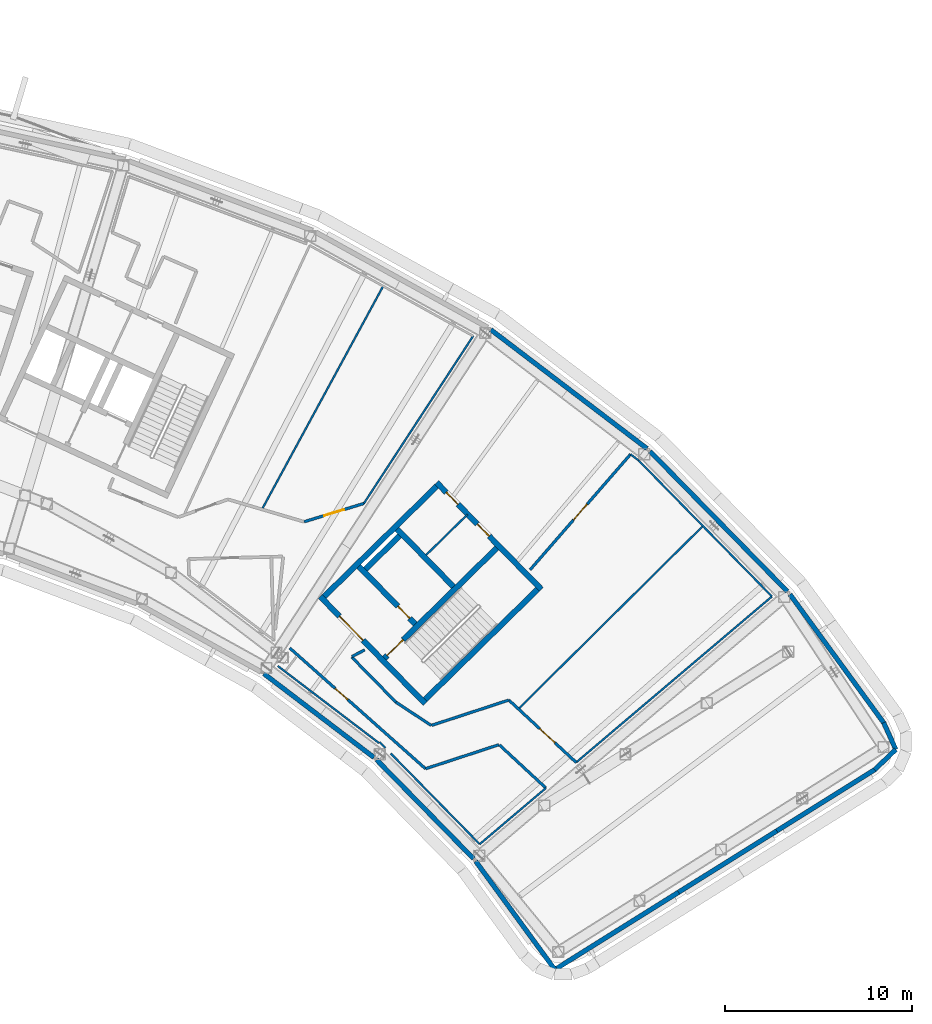
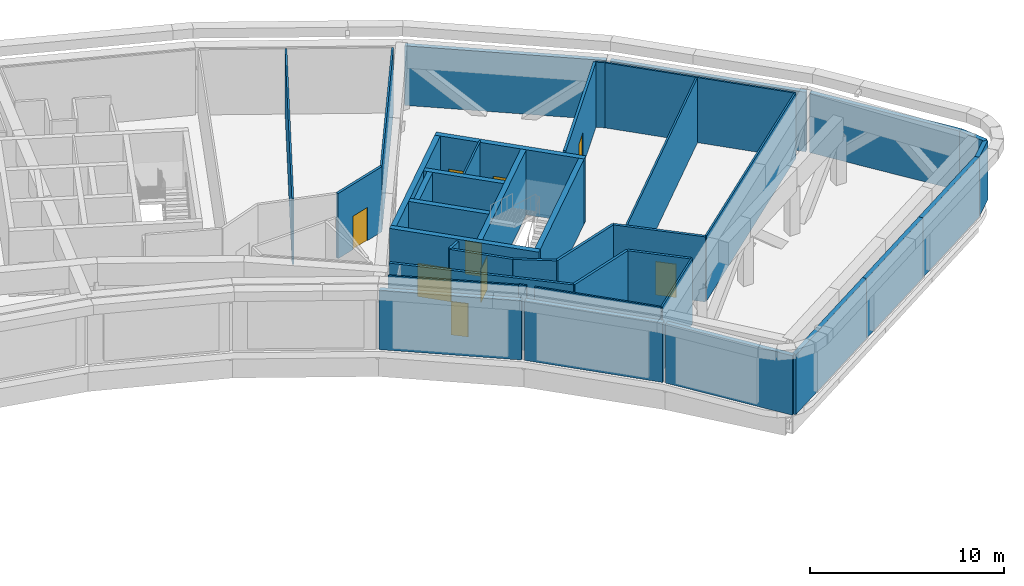
# One storey, part 10 of 24: 40 walls, 9 doors, 9 openings.
"""IFC4 building model written with IfcOpenShell, lengths in metres."""

from ifc_helpers import new_model, si_unit, direction, frame, frame_2d, origin, place, context, subcontext, project, spatial, rectangle, extrude, material, layer, layer_set, type_object, element, fill, save


model = new_model("IFC4")

# Units and contexts
model_context = context("Model", 3, precision=1e-05, world=origin(), true_north=direction((0.0, 1.0)))
body_context = subcontext(model_context, "Body", "Model", "MODEL_VIEW")
ifc_project = project(units=[si_unit("LENGTHUNIT", "METRE"), si_unit("AREAUNIT", "SQUARE_METRE"), si_unit("VOLUMEUNIT", "CUBIC_METRE"), si_unit("PLANEANGLEUNIT", "RADIAN"), si_unit("MASSUNIT", "GRAM", prefix="KILO")], contexts=[model_context])

# Site, building, storey
site_placement = place(None, origin())
site = spatial("IfcSite", under=ifc_project, at=site_placement, CompositionType="ELEMENT")
building_placement = place(site_placement, origin())
building = spatial("IfcBuilding", under=site, at=building_placement, Name="Tuul Gate Civic Tower", CompositionType="ELEMENT")
storey_placement = place(building_placement, frame((0.0, 0.0, 243.89990234375)))
storey = spatial("IfcBuildingStorey", under=building, at=storey_placement, Name="Plant and refuge floor 6", CompositionType="ELEMENT", Elevation=243.89990234375)

# Wall, opening, door
ifc_material_1 = material(Name="Concrete C50/60", Category="concrete")
ifc_layer_1 = layer(ifc_material_1, 0.300048828125)
ifc_layer_set_1 = layer_set([ifc_layer_1], Name="Concrete C50/60")
wall_type_1 = type_object("IfcWallType", Name="Core wall C50/60", PredefinedType="SHEAR", material=ifc_layer_set_1)
wall_1_placement = place(storey_placement, frame((48.22509765625, -18.327880859375, 0.0), z_axis=(0.0, 0.0, 1.0), x_axis=(-0.700021979774, 0.714121297703, 0.0)))
wall_1 = element("IfcWall", 1, at=wall_1_placement, inside=storey, type_object=wall_type_1, Name="Core wall", PredefinedType="SHEAR", context=body_context, shape_type="SweptSolid", body=[
    extrude(rectangle(XDim=8.0, YDim=0.300048828125, at=frame_2d((4.0, 0.0))), origin(), (0.0, 0.0, 1.0), 4.10009765625),
])
opening_1_placement = place(wall_1_placement, frame((4.72509765625, 0.0, 0.0)))
opening_1 = element("IfcOpeningElement", 2, at=opening_1_placement, cuts=wall_1, Name="Opening LB-E1-LOBBY-1", PredefinedType="OPENING", context=body_context, shape_type="SweptSolid", body=[
    extrude(rectangle(XDim=1.800048828125, YDim=2.10009765625, at=frame_2d((0.89990234375, 1.050048828125))), frame((0.0, 0.16015625, 0.0), z_axis=(0.0, -1.0, 0.0), x_axis=(1.0, 0.0, 0.0)), (0.0, 0.0, 1.0), 0.320068359375),
])
ifc_material_2 = material(Name="Steel", Category="steel")
door_type_1 = type_object("IfcDoorType", Name="Lobby door", OperationType="DOUBLE_DOOR_SINGLE_SWING", PredefinedType="DOOR", material=ifc_material_2)
door_1_placement = place(opening_1_placement, frame((1.800048828125, 0.0, 0.0), z_axis=(0.0, 0.0, 1.0), x_axis=(-1.0, 0.0, 0.0)))
door_1 = element("IfcDoor", 3, at=door_1_placement, inside=storey, type_object=door_type_1, Name="Lobby door E1-LOBBY", OperationType="DOUBLE_DOOR_SINGLE_SWING", OverallHeight=2.10009765625, OverallWidth=1.800048828125, PredefinedType="DOOR", context=body_context, shape_type="SweptSolid", body=[
    extrude(rectangle(XDim=1.800048828125, YDim=2.10009765625, at=frame_2d((0.900146484375, 1.050048828125))), frame((0.0, 0.02490234375, 0.0), z_axis=(0.0, -1.0, 0.0), x_axis=(1.0, 0.0, 0.0)), (0.0, 0.0, 1.0), 0.050048828125),
])
fill(opening_1, door_1)

wall_2_placement = place(storey_placement, frame((47.701904296875, -14.079833984375, 0.0), z_axis=(0.0, 0.0, 1.0), x_axis=(-0.700002721075, 0.714140175657, 0.0)))
wall_2 = element("IfcWall", 4, at=wall_2_placement, inside=storey, type_object=wall_type_1, Name="Core wall", PredefinedType="SHEAR", context=body_context, shape_type="SweptSolid", body=[
    extrude(rectangle(XDim=4.300048828125, YDim=0.300048828125, at=frame_2d((2.14990234375, 0.0))), origin(), (0.0, 0.0, 1.0), 4.10009765625),
])
opening_2_placement = place(wall_2_placement, frame((0.425048828125, 0.0, 0.0)))
opening_2 = element("IfcOpeningElement", 5, at=opening_2_placement, cuts=wall_2, Name="Opening FB-E1A1", PredefinedType="OPENING", context=body_context, shape_type="SweptSolid", body=[
    extrude(rectangle(XDim=0.89990234375, YDim=2.10009765625, at=frame_2d((0.449951171875, 1.050048828125))), frame((0.0, 0.16015625, 0.0), z_axis=(0.0, -1.0, 0.0), x_axis=(1.0, 0.0, 0.0)), (0.0, 0.0, 1.0), 0.320068359375),
])
ifc_material_3 = material(Name="Steel", Category="steel")
door_type_2 = type_object("IfcDoorType", Name="Store door", OperationType="NOTDEFINED", PredefinedType="DOOR", material=ifc_material_3)
door_2_placement = place(opening_2_placement, frame((0.89990234375, 0.0, 0.0), z_axis=(0.0, 0.0, 1.0), x_axis=(-1.0, 0.0, 0.0)))
door_2 = element("IfcDoor", 6, at=door_2_placement, inside=storey, type_object=door_type_2, Name="Store door E1A1", OperationType="SINGLE_SWING_RIGHT", OverallHeight=2.10009765625, OverallWidth=0.89990234375, PredefinedType="DOOR", context=body_context, shape_type="SweptSolid", body=[
    extrude(rectangle(XDim=0.89990234375, YDim=2.10009765625, at=frame_2d((0.449951171875, 1.050048828125))), frame((0.0, 0.02490234375, 0.0), z_axis=(0.0, -1.0, 0.0), x_axis=(1.0, 0.0, 0.0)), (0.0, 0.0, 1.0), 0.050048828125),
])
fill(opening_2, door_2)

# Wall
wall_3_placement = place(storey_placement, frame((49.737060546875, -12.0849609375, 0.0), z_axis=(0.0, 0.0, 1.0), x_axis=(-0.700002721075, 0.714140175657, 0.0)))
element("IfcWall", 7, at=wall_3_placement, inside=storey, type_object=wall_type_1, Name="Core wall", PredefinedType="SHEAR", context=body_context, shape_type="SweptSolid", body=[
    extrude(rectangle(XDim=4.300048828125, YDim=0.300048828125, at=frame_2d((2.14990234375, 0.0))), origin(), (0.0, 0.0, 1.0), 4.10009765625),
])

# Wall, openings, doors
wall_4_placement = place(storey_placement, frame((54.43798828125, -12.23779296875, 0.0), z_axis=(0.0, 0.0, 1.0), x_axis=(-0.700021979774, 0.714121297703, 0.0)))
wall_4 = element("IfcWall", 8, at=wall_4_placement, inside=storey, type_object=wall_type_1, Name="Core wall", PredefinedType="SHEAR", context=body_context, shape_type="SweptSolid", body=[
    extrude(rectangle(XDim=8.0, YDim=0.300048828125, at=frame_2d((4.0, 0.0))), origin(), (0.0, 0.0, 1.0), 4.10009765625),
])
opening_3_placement = place(wall_4_placement, frame((3.987548828125, 0.0, 0.0)))
opening_3 = element("IfcOpeningElement", 9, at=opening_3_placement, cuts=wall_4, Name="Opening PB-D251", PredefinedType="OPENING", context=body_context, shape_type="SweptSolid", body=[
    extrude(rectangle(XDim=0.89990234375, YDim=2.10009765625, at=frame_2d((0.449951171875, 1.050048828125))), frame((0.0, 0.16015625, 0.0), z_axis=(0.0, -1.0, 0.0), x_axis=(1.0, 0.0, 0.0)), (0.0, 0.0, 1.0), 0.320068359375),
])
opening_4_placement = place(wall_4_placement, frame((6.362548828125, 0.0, 0.0)))
opening_4 = element("IfcOpeningElement", 10, at=opening_4_placement, cuts=wall_4, Name="Opening PB-D26", PredefinedType="OPENING", context=body_context, shape_type="SweptSolid", body=[
    extrude(rectangle(XDim=0.89990234375, YDim=2.10009765625, at=frame_2d((0.449951171875, 1.050048828125))), frame((0.0, 0.16015625, 0.0), z_axis=(0.0, -1.0, 0.0), x_axis=(1.0, 0.0, 0.0)), (0.0, 0.0, 1.0), 0.320068359375),
])
ifc_material_4 = material(Name="Timber door leaf", Category="wood")
door_type_3 = type_object("IfcDoorType", Name="Door D09", OperationType="NOTDEFINED", PredefinedType="DOOR", material=ifc_material_4)
door_3_placement = place(opening_3_placement, origin())
door_3 = element("IfcDoor", 11, at=door_3_placement, inside=storey, type_object=door_type_3, Name="Door PB-D25", OperationType="SINGLE_SWING_LEFT", OverallHeight=2.10009765625, OverallWidth=0.89990234375, PredefinedType="DOOR", context=body_context, shape_type="SweptSolid", body=[
    extrude(rectangle(XDim=0.89990234375, YDim=2.10009765625, at=frame_2d((0.449951171875, 1.050048828125))), frame((0.0, 0.02490234375, 0.0), z_axis=(0.0, -1.0, 0.0), x_axis=(1.0, 0.0, 0.0)), (0.0, 0.0, 1.0), 0.050048828125),
])
fill(opening_3, door_3)
door_4_placement = place(opening_4_placement, origin())
door_4 = element("IfcDoor", 12, at=door_4_placement, inside=storey, type_object=door_type_3, Name="Door PB-D26", OperationType="SINGLE_SWING_LEFT", OverallHeight=2.10009765625, OverallWidth=0.89990234375, PredefinedType="DOOR", context=body_context, shape_type="SweptSolid", body=[
    extrude(rectangle(XDim=0.89990234375, YDim=2.10009765625, at=frame_2d((0.449951171875, 1.050048828125))), frame((0.0, 0.02490234375, 0.0), z_axis=(0.0, -1.0, 0.0), x_axis=(1.0, 0.0, 0.0)), (0.0, 0.0, 1.0), 0.050048828125),
])
fill(opening_4, door_4)

# Wall
wall_5_placement = place(storey_placement, frame((48.227294921875, -18.115966796875, 0.0), z_axis=(0.0, 0.0, 1.0), x_axis=(0.714105315431, 0.700038283577, 0.0)))
element("IfcWall", 13, at=wall_5_placement, inside=storey, type_object=wall_type_1, Name="Core wall", PredefinedType="SHEAR", context=body_context, shape_type="SweptSolid", body=[
    extrude(rectangle(XDim=8.400146484375, YDim=0.300048828125, at=frame_2d((4.2001953125, 0.0))), origin(), (0.0, 0.0, 1.0), 4.10009765625),
])

# Wall, opening, door
wall_6_placement = place(storey_placement, frame((46.05712890625, -15.902099609375, 0.0), z_axis=(0.0, 0.0, 1.0), x_axis=(0.714134086973, 0.700008932674, 0.0)))
wall_6 = element("IfcWall", 14, at=wall_6_placement, inside=storey, type_object=wall_type_1, Name="Core wall", PredefinedType="SHEAR", context=body_context, shape_type="SweptSolid", body=[
    extrude(rectangle(XDim=8.400146484375, YDim=0.300048828125, at=frame_2d((4.2001953125, 0.0))), origin(), (0.0, 0.0, 1.0), 4.10009765625),
])
opening_5_placement = place(wall_6_placement, frame((0.199951171875, 0.0, 0.0)))
opening_5 = element("IfcOpeningElement", 15, at=opening_5_placement, cuts=wall_6, Name="Opening SD-ST-3", PredefinedType="OPENING", context=body_context, shape_type="SweptSolid", body=[
    extrude(rectangle(XDim=1.199951171875, YDim=2.10009765625, at=frame_2d((0.60009765625, 1.050048828125))), frame((0.0, 0.16015625, 0.0), z_axis=(0.0, -1.0, 0.0), x_axis=(1.0, 0.0, 0.0)), (0.0, 0.0, 1.0), 0.320068359375),
])
ifc_material_5 = material(Name="Steel", Category="steel")
door_type_4 = type_object("IfcDoorType", Name="Stair door", OperationType="NOTDEFINED", PredefinedType="DOOR", material=ifc_material_5)
door_5_placement = place(opening_5_placement, origin())
door_5 = element("IfcDoor", 16, at=door_5_placement, inside=storey, type_object=door_type_4, Name="Stair door ST-3", OperationType="SINGLE_SWING_LEFT", OverallHeight=2.10009765625, OverallWidth=1.199951171875, PredefinedType="DOOR", context=body_context, shape_type="SweptSolid", body=[
    extrude(rectangle(XDim=1.199951171875, YDim=2.10009765625, at=frame_2d((0.60009765625, 1.050048828125))), frame((0.0, 0.02490234375, 0.0), z_axis=(0.0, -1.0, 0.0), x_axis=(1.0, 0.0, 0.0)), (0.0, 0.0, 1.0), 0.050048828125),
])
fill(opening_5, door_5)

# Walls
wall_7_placement = place(storey_placement, frame((45.0439453125, -11.154052734375, 0.0), z_axis=(0.0, 0.0, 1.0), x_axis=(0.714108498262, 0.700035036773, 0.0)))
element("IfcWall", 17, at=wall_7_placement, inside=storey, type_object=wall_type_1, Name="Core wall", PredefinedType="SHEAR", context=body_context, shape_type="SweptSolid", body=[
    extrude(rectangle(XDim=2.550048828125, YDim=0.300048828125, at=frame_2d((1.27490234375, 0.0))), origin(), (0.0, 0.0, 1.0), 4.10009765625),
])
wall_8_placement = place(storey_placement, frame((42.837158203125, -12.616943359375, 0.0), z_axis=(0.0, 0.0, 1.0), x_axis=(0.714119844755, 0.700023461983, 0.0)))
element("IfcWall", 18, at=wall_8_placement, inside=storey, type_object=wall_type_1, Name="Core wall", PredefinedType="SHEAR", context=body_context, shape_type="SweptSolid", body=[
    extrude(rectangle(XDim=8.39990234375, YDim=0.300048828125, at=frame_2d((4.199951171875, 0.0))), origin(), (0.0, 0.0, 1.0), 4.10009765625),
])

# Wall, opening, door
ifc_material_6 = material(Name="Gypsum board partition")
ifc_layer_2 = layer(ifc_material_6, 0.14990234375)
ifc_layer_set_2 = layer_set([ifc_layer_2], Name="Gypsum board partition")
wall_type_2 = type_object("IfcWallType", Name="Corridor wall P150", PredefinedType="PARTITIONING", material=ifc_layer_set_2)
wall_9_placement = place(storey_placement, frame((52.69580078125, -18.142578125, 0.0), z_axis=(0.0, 0.0, 1.0), x_axis=(0.733673253979, -0.679502432958, 0.0)))
wall_9 = element("IfcWall", 19, at=wall_9_placement, inside=storey, type_object=wall_type_2, Name="p017", PredefinedType="PARTITIONING", context=body_context, shape_type="SweptSolid", body=[
    extrude(rectangle(XDim=4.89892578125, YDim=0.14990234375, at=frame_2d((2.449462890625, 0.0))), origin(), (0.0, 0.0, 1.0), 4.10009765625),
])
opening_6_placement = place(wall_9_placement, frame((2.247314453125, 0.0, 0.0)))
opening_6 = element("IfcOpeningElement", 20, at=opening_6_placement, cuts=wall_9, Name="Opening PB-D032", PredefinedType="OPENING", context=body_context, shape_type="SweptSolid", body=[
    extrude(rectangle(XDim=1.10009765625, YDim=2.10009765625, at=frame_2d((0.550048828125, 1.050048828125))), frame((0.0, 0.0849609375, 0.0), z_axis=(0.0, -1.0, 0.0), x_axis=(1.0, 0.0, 0.0)), (0.0, 0.0, 1.0), 0.169921875),
])
ifc_material_7 = material(Name="Timber door leaf", Category="wood")
door_type_5 = type_object("IfcDoorType", Name="Door D11", OperationType="NOTDEFINED", PredefinedType="DOOR", material=ifc_material_7)
door_6_placement = place(opening_6_placement, origin())
door_6 = element("IfcDoor", 21, at=door_6_placement, inside=storey, type_object=door_type_5, Name="Door PB-D03", OperationType="SINGLE_SWING_RIGHT", OverallHeight=2.10009765625, OverallWidth=1.10009765625, PredefinedType="DOOR", context=body_context, shape_type="SweptSolid", body=[
    extrude(rectangle(XDim=1.10009765625, YDim=2.10009765625, at=frame_2d((0.550048828125, 1.050048828125))), frame((0.0, 0.02490234375, 0.0), z_axis=(0.0, -1.0, 0.0), x_axis=(1.0, 0.0, 0.0)), (0.0, 0.0, 1.0), 0.050048828125),
])
fill(opening_6, door_6)

wall_10_placement = place(storey_placement, frame((53.830078125, -11.189453125, 0.0), z_axis=(0.0, 0.0, 1.0), x_axis=(0.656045571534, 0.7547212784, 0.0)))
wall_10 = element("IfcWall", 22, at=wall_10_placement, inside=storey, type_object=wall_type_2, Name="p018", PredefinedType="PARTITIONING", context=body_context, shape_type="SweptSolid", body=[
    extrude(rectangle(XDim=8.172119140625, YDim=0.14990234375, at=frame_2d((4.0859375, 0.0))), origin(), (0.0, 0.0, 1.0), 4.10009765625),
])
opening_7_placement = place(wall_10_placement, frame((3.5361328125, 0.0, 0.0)))
opening_7 = element("IfcOpeningElement", 23, at=opening_7_placement, cuts=wall_10, Name="Opening PB-D04", PredefinedType="OPENING", context=body_context, shape_type="SweptSolid", body=[
    extrude(rectangle(XDim=1.10009765625, YDim=2.10009765625, at=frame_2d((0.550048828125, 1.050048828125))), frame((0.0, 0.0849609375, 0.0), z_axis=(0.0, -1.0, 0.0), x_axis=(1.0, 0.0, 0.0)), (0.0, 0.0, 1.0), 0.169921875),
])
door_7_placement = place(opening_7_placement, frame((1.10009765625, 0.0, 0.0), z_axis=(0.0, 0.0, 1.0), x_axis=(-1.0, 0.0, 0.0)))
door_7 = element("IfcDoor", 24, at=door_7_placement, inside=storey, type_object=door_type_5, Name="Door PB-D04", OperationType="SINGLE_SWING_LEFT", OverallHeight=2.10009765625, OverallWidth=1.10009765625, PredefinedType="DOOR", context=body_context, shape_type="SweptSolid", body=[
    extrude(rectangle(XDim=1.10009765625, YDim=2.10009765625, at=frame_2d((0.550048828125, 1.050048828125))), frame((0.0, 0.02490234375, 0.0), z_axis=(0.0, -1.0, 0.0), x_axis=(1.0, 0.0, 0.0)), (0.0, 0.0, 1.0), 0.050048828125),
])
fill(opening_7, door_7)

# Walls
wall_11_placement = place(storey_placement, frame((48.56640625, -19.49560546875, 0.0), z_axis=(0.0, 0.0, 1.0), x_axis=(0.950288965654, 0.311369365476, 0.0)))
element("IfcWall", 25, at=wall_11_placement, inside=storey, type_object=wall_type_2, Name="p019", PredefinedType="PARTITIONING", context=body_context, shape_type="SweptSolid", body=[
    extrude(rectangle(XDim=4.345458984375, YDim=0.14990234375, at=frame_2d((2.1728515625, 0.0))), origin(), (0.0, 0.0, 1.0), 4.10009765625),
])
wall_12_placement = place(storey_placement, frame((46.6708984375, -18.25830078125, 0.0), z_axis=(0.0, 0.0, 1.0), x_axis=(0.835568992418, -0.549385528486, 0.0)))
element("IfcWall", 26, at=wall_12_placement, inside=storey, type_object=wall_type_2, Name="p020", PredefinedType="PARTITIONING", context=body_context, shape_type="SweptSolid", body=[
    extrude(rectangle(XDim=2.252197265625, YDim=0.14990234375, at=frame_2d((1.1259765625, 0.0))), origin(), (0.0, 0.0, 1.0), 4.10009765625),
])
wall_13_placement = place(storey_placement, frame((44.310546875, -15.85009765625, 0.0), z_axis=(0.0, 0.0, 1.0), x_axis=(0.699975853666, -0.714166510195, 0.0)))
element("IfcWall", 27, at=wall_13_placement, inside=storey, type_object=wall_type_2, Name="p021", PredefinedType="PARTITIONING", context=body_context, shape_type="SweptSolid", body=[
    extrude(rectangle(XDim=3.3720703125, YDim=0.14990234375, at=frame_2d((1.68603515625, 0.0))), origin(), (0.0, 0.0, 1.0), 4.10009765625),
])
wall_14_placement = place(storey_placement, frame((44.31884765625, -15.822021484375, 0.0), z_axis=(0.0, 0.0, 1.0), x_axis=(0.885014778293, 0.465562930443, 0.0)))
element("IfcWall", 28, at=wall_14_placement, inside=storey, type_object=wall_type_2, Name="p022", PredefinedType="PARTITIONING", context=body_context, shape_type="SweptSolid", body=[
    extrude(rectangle(XDim=0.767822265625, YDim=0.14990234375, at=frame_2d((0.3837890625, 0.0))), origin(), (0.0, 0.0, 1.0), 4.10009765625),
])
wall_15_placement = place(storey_placement, frame((48.2490234375, -21.809326171875, 0.0), z_axis=(0.0, 0.0, 1.0), x_axis=(0.950300562889, 0.31133396887, 0.0)))
element("IfcWall", 29, at=wall_15_placement, inside=storey, type_object=wall_type_2, Name="p023", PredefinedType="PARTITIONING", context=body_context, shape_type="SweptSolid", body=[
    extrude(rectangle(XDim=4.119384765625, YDim=0.14990234375, at=frame_2d((2.0595703125, 0.0))), origin(), (0.0, 0.0, 1.0), 4.10009765625),
])
wall_16_placement = place(storey_placement, frame((52.184814453125, -20.531494140625, 0.0), z_axis=(0.0, 0.0, 1.0), x_axis=(0.733655800949, -0.679521276881, 0.0)))
element("IfcWall", 30, at=wall_16_placement, inside=storey, type_object=wall_type_2, Name="p024", PredefinedType="PARTITIONING", context=body_context, shape_type="SweptSolid", body=[
    extrude(rectangle(XDim=3.39599609375, YDim=0.14990234375, at=frame_2d((1.697998046875, 0.0))), origin(), (0.0, 0.0, 1.0), 4.10009765625),
])

# Wall, opening, door
wall_17_placement = place(storey_placement, frame((40.992919921875, -15.360107421875, 0.0), z_axis=(0.0, 0.0, 1.0), x_axis=(0.747377400336, -0.664399745234, 0.0)))
wall_17 = element("IfcWall", 31, at=wall_17_placement, inside=storey, type_object=wall_type_2, Name="p025", PredefinedType="PARTITIONING", context=body_context, shape_type="SweptSolid", body=[
    extrude(rectangle(XDim=9.70654296875, YDim=0.14990234375, at=frame_2d((4.853271484375, 0.0))), origin(), (0.0, 0.0, 1.0), 4.10009765625),
])
opening_8_placement = place(wall_17_placement, frame((3.2529296875, 0.0, 0.0)))
opening_8 = element("IfcOpeningElement", 32, at=opening_8_placement, cuts=wall_17, Name="Opening PB-D05", PredefinedType="OPENING", context=body_context, shape_type="SweptSolid", body=[
    extrude(rectangle(XDim=0.89990234375, YDim=2.10009765625, at=frame_2d((0.449951171875, 1.050048828125))), frame((0.0, 0.0849609375, 0.0), z_axis=(0.0, -1.0, 0.0), x_axis=(1.0, 0.0, 0.0)), (0.0, 0.0, 1.0), 0.169921875),
])
door_8_placement = place(opening_8_placement, origin())
door_8 = element("IfcDoor", 33, at=door_8_placement, inside=storey, type_object=door_type_3, Name="Door PB-D05", OperationType="SINGLE_SWING_RIGHT", OverallHeight=2.10009765625, OverallWidth=0.89990234375, PredefinedType="DOOR", context=body_context, shape_type="SweptSolid", body=[
    extrude(rectangle(XDim=0.89990234375, YDim=2.10009765625, at=frame_2d((0.449951171875, 1.050048828125))), frame((0.0, 0.02490234375, 0.0), z_axis=(0.0, -1.0, 0.0), x_axis=(1.0, 0.0, 0.0)), (0.0, 0.0, 1.0), 0.050048828125),
])
fill(opening_8, door_8)

wall_18_placement = place(storey_placement, frame((41.772216796875, -8.622314453125, 0.0), z_axis=(0.0, 0.0, 1.0), x_axis=(0.956117790809, 0.292982542312, 0.0)))
wall_18 = element("IfcWall", 34, at=wall_18_placement, inside=storey, type_object=wall_type_2, Name="p028", PredefinedType="PARTITIONING", context=body_context, shape_type="SweptSolid", body=[
    extrude(rectangle(XDim=3.328125, YDim=0.14990234375, at=frame_2d((1.6640625, 0.0))), origin(), (0.0, 0.0, 1.0), 4.10009765625),
])
opening_9_placement = place(wall_18_placement, frame((1.114013671875, 0.0, 0.0)))
opening_9 = element("IfcOpeningElement", 35, at=opening_9_placement, cuts=wall_18, Name="Opening PB-D06", PredefinedType="OPENING", context=body_context, shape_type="SweptSolid", body=[
    extrude(rectangle(XDim=1.10009765625, YDim=2.10009765625, at=frame_2d((0.550048828125, 1.050048828125))), frame((0.0, 0.0849609375, 0.0), z_axis=(0.0, -1.0, 0.0), x_axis=(1.0, 0.0, 0.0)), (0.0, 0.0, 1.0), 0.169921875),
])
door_9_placement = place(opening_9_placement, origin())
door_9 = element("IfcDoor", 36, at=door_9_placement, inside=storey, type_object=door_type_5, Name="Door PB-D06", OperationType="SINGLE_SWING_RIGHT", OverallHeight=2.10009765625, OverallWidth=1.10009765625, PredefinedType="DOOR", context=body_context, shape_type="SweptSolid", body=[
    extrude(rectangle(XDim=1.10009765625, YDim=2.10009765625, at=frame_2d((0.550048828125, 1.050048828125))), frame((0.0, 0.02490234375, 0.0), z_axis=(0.0, -1.0, 0.0), x_axis=(1.0, 0.0, 0.0)), (0.0, 0.0, 1.0), 0.050048828125),
])
fill(opening_9, door_9)

# Walls
ifc_material_8 = material(Name="Precast concrete C40/50", Category="concrete")
ifc_layer_3 = layer(ifc_material_8, 0.25)
ifc_layer_set_3 = layer_set([ifc_layer_3], Name="Precast concrete C40/50")
wall_type_3 = type_object("IfcWallType", Name="External wall", PredefinedType="STANDARD", material=ifc_layer_set_3)
wall_19_placement = place(storey_placement, frame((72.2216796875, -21.86669921875, 0.0), z_axis=(0.0, 0.0, 1.0), x_axis=(0.722783622894, 0.69107440589, 0.0)))
element("IfcWall", 37, at=wall_19_placement, inside=storey, type_object=wall_type_3, Name="External wall", PredefinedType="STANDARD", context=body_context, shape_type="SweptSolid", body=[
    extrude(rectangle(XDim=1.570556640625, YDim=0.25, at=frame_2d((0.78515625, 0.0))), origin(), (0.0, 0.0, 1.0), 3.75),
])
wall_20_placement = place(storey_placement, frame((73.35693359375, -20.78125, 0.0), z_axis=(0.0, 0.0, 1.0), x_axis=(-0.412995937313, 0.9107328674, 0.0)))
element("IfcWall", 38, at=wall_20_placement, inside=storey, type_object=wall_type_3, Name="External wall", PredefinedType="STANDARD", context=body_context, shape_type="SweptSolid", body=[
    extrude(rectangle(XDim=1.572998046875, YDim=0.25, at=frame_2d((0.78662109375, 0.0))), origin(), (0.0, 0.0, 1.0), 3.75),
])
wall_21_placement = place(storey_placement, frame((72.719970703125, -19.37060546875, 0.0), z_axis=(0.0, 0.0, 1.0), x_axis=(-0.58982587211, 0.807530457995, 0.0)))
element("IfcWall", 39, at=wall_21_placement, inside=storey, type_object=wall_type_3, Name="External wall", PredefinedType="STANDARD", context=body_context, shape_type="SweptSolid", body=[
    extrude(rectangle(XDim=8.506103515625, YDim=0.25, at=frame_2d((4.2529296875, 0.0))), origin(), (0.0, 0.0, 1.0), 3.75),
])
wall_22_placement = place(storey_placement, frame((67.564208984375, -12.342041015625, 0.0), z_axis=(0.0, 0.0, 1.0), x_axis=(-0.700001302362, 0.714141566282, 0.0)))
element("IfcWall", 40, at=wall_22_placement, inside=storey, type_object=wall_type_3, Name="External wall", PredefinedType="STANDARD", context=body_context, shape_type="SweptSolid", body=[
    extrude(rectangle(XDim=10.480224609375, YDim=0.25, at=frame_2d((5.240234375, 0.0))), origin(), (0.0, 0.0, 1.0), 3.75),
])
wall_23_placement = place(storey_placement, frame((60.07177734375, -4.717041015625, 0.0), z_axis=(0.0, 0.0, 1.0), x_axis=(-0.795651980697, 0.605754014113, 0.0)))
element("IfcWall", 41, at=wall_23_placement, inside=storey, type_object=wall_type_3, Name="External wall", PredefinedType="STANDARD", context=body_context, shape_type="SweptSolid", body=[
    extrude(rectangle(XDim=10.48046875, YDim=0.25, at=frame_2d((5.240234375, 0.0))), origin(), (0.0, 0.0, 1.0), 3.75),
])
wall_24_placement = place(storey_placement, frame((39.614990234375, -16.72998046875, 0.0), z_axis=(0.0, 0.0, 1.0), x_axis=(0.795632531341, -0.6057795598, 0.0)))
element("IfcWall", 42, at=wall_24_placement, inside=storey, type_object=wall_type_3, Name="External wall", PredefinedType="STANDARD", context=body_context, shape_type="SweptSolid", body=[
    extrude(rectangle(XDim=7.394287109375, YDim=0.25, at=frame_2d((3.697265625, 0.0))), origin(), (0.0, 0.0, 1.0), 3.75),
])
wall_25_placement = place(storey_placement, frame((45.63671875, -21.3291015625, 0.0), z_axis=(0.0, 0.0, 1.0), x_axis=(0.700037732512, -0.71410585564, 0.0)))
element("IfcWall", 43, at=wall_25_placement, inside=storey, type_object=wall_type_3, Name="External wall", PredefinedType="STANDARD", context=body_context, shape_type="SweptSolid", body=[
    extrude(rectangle(XDim=7.392822265625, YDim=0.25, at=frame_2d((3.6962890625, 0.0))), origin(), (0.0, 0.0, 1.0), 3.75),
])
wall_26_placement = place(storey_placement, frame((50.9287109375, -26.75, 0.0), z_axis=(0.0, 0.0, 1.0), x_axis=(0.589725845544, -0.807603508597, 0.0)))
element("IfcWall", 44, at=wall_26_placement, inside=storey, type_object=wall_type_3, Name="External wall", PredefinedType="STANDARD", context=body_context, shape_type="SweptSolid", body=[
    extrude(rectangle(XDim=7.1591796875, YDim=0.25, at=frame_2d((3.57958984375, 0.0))), origin(), (0.0, 0.0, 1.0), 3.75),
])
wall_27_placement = place(storey_placement, frame((55.150634765625, -32.53173828125, 0.0), z_axis=(0.0, 0.0, 1.0), x_axis=(0.848019436648, 0.529965126274, 0.0)))
element("IfcWall", 45, at=wall_27_placement, inside=storey, type_object=wall_type_3, Name="External wall", PredefinedType="STANDARD", context=body_context, shape_type="SweptSolid", body=[
    extrude(rectangle(XDim=7.7880859375, YDim=0.25, at=frame_2d((3.89404296875, 0.0))), origin(), (0.0, 0.0, 1.0), 3.75),
])
wall_28_placement = place(storey_placement, frame((61.755126953125, -28.404296875, 0.0), z_axis=(0.0, 0.0, 1.0), x_axis=(0.848036012993, 0.529938600846, 0.0)))
element("IfcWall", 46, at=wall_28_placement, inside=storey, type_object=wall_type_3, Name="External wall", PredefinedType="STANDARD", context=body_context, shape_type="SweptSolid", body=[
    extrude(rectangle(XDim=6.18310546875, YDim=0.25, at=frame_2d((3.091552734375, 0.0))), origin(), (0.0, 0.0, 1.0), 3.75),
])
wall_29_placement = place(storey_placement, frame((66.99853515625, -25.127685546875, 0.0), z_axis=(0.0, 0.0, 1.0), x_axis=(0.848024923451, 0.529956346509, 0.0)))
element("IfcWall", 47, at=wall_29_placement, inside=storey, type_object=wall_type_3, Name="External wall", PredefinedType="STANDARD", context=body_context, shape_type="SweptSolid", body=[
    extrude(rectangle(XDim=6.182861328125, YDim=0.25, at=frame_2d((3.09130859375, 0.0))), origin(), (0.0, 0.0, 1.0), 3.75),
])
ifc_material_9 = material(Name="Gypsum board partition")
ifc_layer_4 = layer(ifc_material_9, 0.10009765625)
ifc_layer_set_4 = layer_set([ifc_layer_4], Name="Gypsum board partition")
wall_type_4 = type_object("IfcWallType", Name="Partition P100", PredefinedType="PARTITIONING", material=ifc_layer_set_4)
wall_30_placement = place(storey_placement, frame((53.206298828125, -18.615234375, 0.0), z_axis=(0.0, 0.0, 1.0), x_axis=(0.710189266514, 0.70401079944, 0.0)))
element("IfcWall", 48, at=wall_30_placement, inside=storey, type_object=wall_type_4, Name="p016", PredefinedType="PARTITIONING", context=body_context, shape_type="SweptSolid", body=[
    extrude(rectangle(XDim=13.86962890625, YDim=0.10009765625, at=frame_2d((6.934814453125, 0.0))), origin(), (0.0, 0.0, 1.0), 4.10009765625),
])
wall_31_placement = place(storey_placement, frame((39.515869140625, -7.96142578125, 0.0), z_axis=(0.0, 0.0, 1.0), x_axis=(0.477167346268, 0.878812450785, 0.0)))
element("IfcWall", 49, at=wall_31_placement, inside=storey, type_object=wall_type_4, Name="p026", PredefinedType="PARTITIONING", context=body_context, shape_type="SweptSolid", body=[
    extrude(rectangle(XDim=13.561279296875, YDim=0.10009765625, at=frame_2d((6.78076171875, 0.0))), origin(), (0.0, 0.0, 1.0), 4.10009765625),
])
wall_32_placement = place(storey_placement, frame((59.62939453125, -5.355224609375, 0.0), z_axis=(0.0, 0.0, 1.0), x_axis=(0.700044266413, -0.714099450401, 0.0)))
element("IfcWall", 50, at=wall_32_placement, inside=storey, type_object=wall_type_4, Name="p078", PredefinedType="PARTITIONING", context=body_context, shape_type="SweptSolid", body=[
    extrude(rectangle(XDim=10.16162109375, YDim=0.10009765625, at=frame_2d((5.080810546875, 0.0))), origin(), (0.0, 0.0, 1.0), 4.10009765625),
])
wall_33_placement = place(storey_placement, frame((66.742919921875, -12.611572265625, 0.0), z_axis=(0.0, 0.0, 1.0), x_axis=(-0.76284197665, -0.646584966312, 0.0)))
element("IfcWall", 51, at=wall_33_placement, inside=storey, type_object=wall_type_4, Name="p079", PredefinedType="PARTITIONING", context=body_context, shape_type="SweptSolid", body=[
    extrude(rectangle(XDim=13.70263671875, YDim=0.10009765625, at=frame_2d((6.851318359375, 0.0))), origin(), (0.0, 0.0, 1.0), 4.10009765625),
])
wall_34_placement = place(storey_placement, frame((59.19140625, -5.021728515625, 0.0), z_axis=(0.0, 0.0, 1.0), x_axis=(0.795614932073, -0.605802674031, 0.0)))
element("IfcWall", 52, at=wall_34_placement, inside=storey, type_object=wall_type_4, Name="p080", PredefinedType="PARTITIONING", context=body_context, shape_type="SweptSolid", body=[
    extrude(rectangle(XDim=0.550537109375, YDim=0.10009765625, at=frame_2d((0.275390625, 0.0))), origin(), (0.0, 0.0, 1.0), 4.10009765625),
])
wall_35_placement = place(storey_placement, frame((54.67626953125, -22.839111328125, 0.0), z_axis=(0.0, 0.0, 1.0), x_axis=(-0.762836594411, -0.646591316232, 0.0)))
element("IfcWall", 53, at=wall_35_placement, inside=storey, type_object=wall_type_4, Name="p082", PredefinedType="PARTITIONING", context=body_context, shape_type="SweptSolid", body=[
    extrude(rectangle(XDim=4.63525390625, YDim=0.10009765625, at=frame_2d((2.317626953125, 0.0))), origin(), (0.0, 0.0, 1.0), 4.10009765625),
])
wall_36_placement = place(storey_placement, frame((51.140380859375, -25.836181640625, 0.0), z_axis=(0.0, 0.0, 1.0), x_axis=(-0.700017433589, 0.714125754102, 0.0)))
element("IfcWall", 54, at=wall_36_placement, inside=storey, type_object=wall_type_4, Name="p083", PredefinedType="PARTITIONING", context=body_context, shape_type="SweptSolid", body=[
    extrude(rectangle(XDim=6.783447265625, YDim=0.10009765625, at=frame_2d((3.3916015625, 0.0))), origin(), (0.0, 0.0, 1.0), 4.10009765625),
])
wall_37_placement = place(storey_placement, frame((46.096435546875, -20.690673828125, 0.0), z_axis=(0.0, 0.0, 1.0), x_axis=(-0.700053868945, 0.714090036743, 0.0)))
element("IfcWall", 55, at=wall_37_placement, inside=storey, type_object=wall_type_4, Name="p084", PredefinedType="PARTITIONING", context=body_context, shape_type="SweptSolid", body=[
    extrude(rectangle(XDim=0.41748046875, YDim=0.10009765625, at=frame_2d((0.208740234375, 0.0))), origin(), (0.0, 0.0, 1.0), 4.10009765625),
])
wall_38_placement = place(storey_placement, frame((45.760986328125, -20.435302734375, 0.0), z_axis=(0.0, 0.0, 1.0), x_axis=(-0.795648091179, 0.605759122921, 0.0)))
element("IfcWall", 56, at=wall_38_placement, inside=storey, type_object=wall_type_4, Name="p085", PredefinedType="PARTITIONING", context=body_context, shape_type="SweptSolid", body=[
    extrude(rectangle(XDim=6.78466796875, YDim=0.10009765625, at=frame_2d((3.392333984375, 0.0))), origin(), (0.0, 0.0, 1.0), 4.10009765625),
])
wall_39_placement = place(storey_placement, frame((50.791748046875, 1.29296875, 0.0), z_axis=(0.0, 0.0, 1.0), x_axis=(-0.546717584846, -0.837317074005, 0.0)))
element("IfcWall", 57, at=wall_39_placement, inside=storey, type_object=wall_type_4, Name="p088", PredefinedType="PARTITIONING", context=body_context, shape_type="SweptSolid", body=[
    extrude(rectangle(XDim=10.67724609375, YDim=0.10009765625, at=frame_2d((5.338623046875, 0.0))), origin(), (0.0, 0.0, 1.0), 4.10009765625),
])
wall_40_placement = place(storey_placement, frame((48.28662109375, -10.390869140625, 0.0), z_axis=(0.0, 0.0, 1.0), x_axis=(0.714159293908, 0.699983216173, 0.0)))
element("IfcWall", 58, at=wall_40_placement, inside=storey, type_object=wall_type_4, Name="bE1-BAND-0", PredefinedType="PARTITIONING", context=body_context, shape_type="SweptSolid", body=[
    extrude(rectangle(XDim=3.099853515625, YDim=0.10009765625, at=frame_2d((1.5498046875, 0.0))), origin(), (0.0, 0.0, 1.0), 4.10009765625),
])

save(model, "model.ifc")
